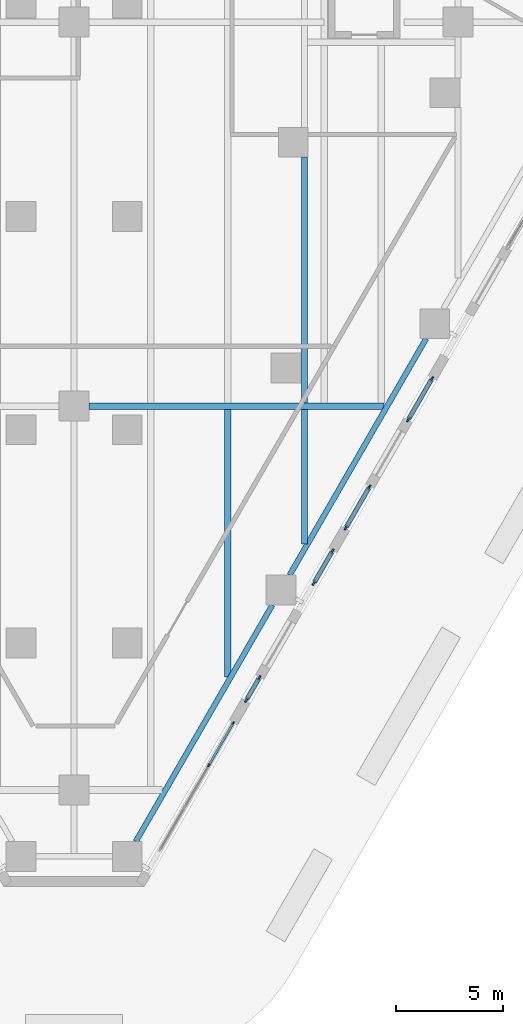
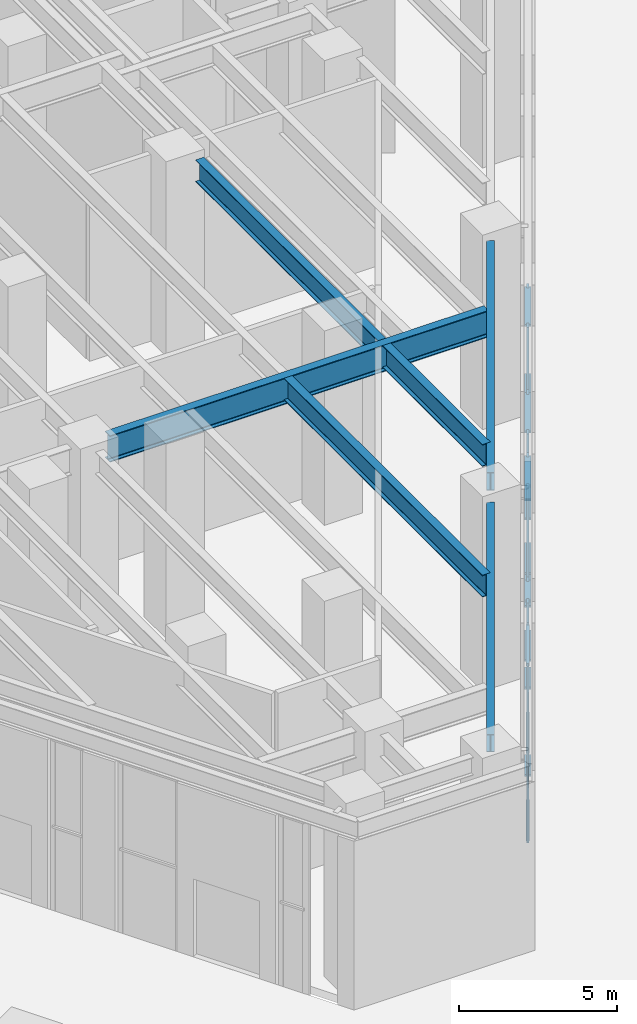
# One storey, part 7 of 37: 25 members, 6 beams, 5 elements without a shape of their own.
"""IFC4 building model written with IfcOpenShell, lengths in metres."""

from ifc_helpers import new_model, si_unit, direction, frame, origin, origin_2d, place, context, subcontext, project, spatial, rectangle, i_section, extrude, material, material_profile, profile_set, type_object, element, aggregate, save


model = new_model("IFC4")

# Units and contexts
model_context = context("Model", 3, precision=1e-05, world=origin(), true_north=direction((0.0, 1.0)))
body_context = subcontext(model_context, "Body", "Model", "MODEL_VIEW")
ifc_project = project(units=[si_unit("LENGTHUNIT", "METRE"), si_unit("AREAUNIT", "SQUARE_METRE"), si_unit("VOLUMEUNIT", "CUBIC_METRE"), si_unit("PLANEANGLEUNIT", "RADIAN"), si_unit("MASSUNIT", "GRAM", prefix="KILO")], contexts=[model_context])

# Site, building, storey
site_placement = place(None, origin())
site = spatial("IfcSite", under=ifc_project, at=site_placement, CompositionType="ELEMENT")
building_placement = place(site_placement, origin())
building = spatial("IfcBuilding", under=site, at=building_placement, Name="Aloe Facet Convention Tower", CompositionType="ELEMENT")
storey_placement = place(building_placement, origin())
storey = spatial("IfcBuildingStorey", under=building, at=storey_placement, Name="L00", CompositionType="ELEMENT", Elevation=0.0)

# Curtain wall, members
ifc_material_1 = material(Name="Aluminium, anodised", Category="aluminium")
curtain_wall_type_1 = type_object("IfcCurtainWallType", Name="EV-CW-PORTAL", PredefinedType="USERDEFINED", material=ifc_material_1)
curtain_wall_1_placement = place(storey_placement, origin())
curtain_wall_1 = element("IfcCurtainWall", 1, at=curtain_wall_1_placement, inside=storey, type_object=curtain_wall_type_1, Name="CW-L00-E04A", ObjectType="ENTRANCE PORTAL GLAZING", PredefinedType="USERDEFINED")
ifc_material_2 = material(Name="Aluminium, anodised", Category="aluminium")
ifc_material_profile_1 = material_profile(ifc_material_2, rectangle(XDim=0.080078125, YDim=0.25, at=origin_2d()), Name="AL 80x250")
ifc_profile_set_1 = profile_set([ifc_material_profile_1], Name="Aluminium, anodised")
member_type_1 = type_object("IfcMemberType", Name="EV-MULL-PORTAL", PredefinedType="MULLION", material=ifc_profile_set_1)
member_1_placement = place(storey_placement, frame((88.0859375, 49.2255859375, -0.300048828125), z_axis=(0.0, 0.0, 1.0), x_axis=(-0.866025403688, 0.500000000166, 0.0)))
member_1 = element("IfcMember", 2, at=member_1_placement, type_object=member_type_1, Name="CW-L00-E04A mullion 1", PredefinedType="MULLION", context=body_context, shape_type="SweptSolid", body=[
    extrude(rectangle(XDim=0.080078125, YDim=0.25, at=origin_2d()), origin(), (0.0, 0.0, 1.0), 6.8125),
])
member_2_placement = place(storey_placement, frame((88.67626953125, 50.248046875, -0.300048828125), z_axis=(0.0, 0.0, 1.0), x_axis=(-0.866025403688, 0.500000000166, 0.0)))
member_2 = element("IfcMember", 3, at=member_2_placement, type_object=member_type_1, Name="CW-L00-E04A mullion 2", PredefinedType="MULLION", context=body_context, shape_type="SweptSolid", body=[
    extrude(rectangle(XDim=0.080078125, YDim=0.25, at=origin_2d()), origin(), (0.0, 0.0, 1.0), 6.8125),
])

curtain_wall_2_placement = place(storey_placement, origin())
curtain_wall_2 = element("IfcCurtainWall", 4, at=curtain_wall_2_placement, inside=storey, type_object=curtain_wall_type_1, Name="CW-L00-E04B", ObjectType="ENTRANCE PORTAL GLAZING", PredefinedType="USERDEFINED")
member_3_placement = place(storey_placement, frame((91.25, 54.706298828125, -0.300048828125), z_axis=(0.0, 0.0, 1.0), x_axis=(-0.866025403715, 0.500000000121, 0.0)))
member_3 = element("IfcMember", 5, at=member_3_placement, type_object=member_type_1, Name="CW-L00-E04B mullion 1", PredefinedType="MULLION", context=body_context, shape_type="SweptSolid", body=[
    extrude(rectangle(XDim=0.080078125, YDim=0.25, at=origin_2d()), origin(), (0.0, 0.0, 1.0), 6.8125),
])
member_4_placement = place(storey_placement, frame((92.1064453125, 56.189697265625, -0.300048828125), z_axis=(0.0, 0.0, 1.0), x_axis=(-0.866025403715, 0.500000000121, 0.0)))
member_4 = element("IfcMember", 6, at=member_4_placement, type_object=member_type_1, Name="CW-L00-E04B mullion 2", PredefinedType="MULLION", context=body_context, shape_type="SweptSolid", body=[
    extrude(rectangle(XDim=0.080078125, YDim=0.25, at=origin_2d()), origin(), (0.0, 0.0, 1.0), 6.8125),
])

curtain_wall_3_placement = place(storey_placement, origin())
curtain_wall_3 = element("IfcCurtainWall", 7, at=curtain_wall_3_placement, inside=storey, type_object=curtain_wall_type_1, Name="CW-L00-E06A", ObjectType="ENTRANCE PORTAL GLAZING", PredefinedType="USERDEFINED")
member_5_placement = place(storey_placement, frame((92.74658203125, 57.298095703125, -0.300048828125), z_axis=(0.0, 0.0, 1.0), x_axis=(-0.86602540375, 0.50000000006, 0.0)))
member_5 = element("IfcMember", 8, at=member_5_placement, type_object=member_type_1, Name="CW-L00-E06A mullion 1", PredefinedType="MULLION", context=body_context, shape_type="SweptSolid", body=[
    extrude(rectangle(XDim=0.080078125, YDim=0.25, at=origin_2d()), origin(), (0.0, 0.0, 1.0), 6.8125),
])
member_6_placement = place(storey_placement, frame((93.8369140625, 59.186767578125, -0.300048828125), z_axis=(0.0, 0.0, 1.0), x_axis=(-0.86602540375, 0.50000000006, 0.0)))
member_6 = element("IfcMember", 9, at=member_6_placement, type_object=member_type_1, Name="CW-L00-E06A mullion 2", PredefinedType="MULLION", context=body_context, shape_type="SweptSolid", body=[
    extrude(rectangle(XDim=0.080078125, YDim=0.25, at=origin_2d()), origin(), (0.0, 0.0, 1.0), 6.8125),
])

curtain_wall_4_placement = place(storey_placement, origin())
curtain_wall_4 = element("IfcCurtainWall", 10, at=curtain_wall_4_placement, inside=storey, type_object=curtain_wall_type_1, Name="CW-L00-E06B", ObjectType="ENTRANCE PORTAL GLAZING", PredefinedType="USERDEFINED")
member_7_placement = place(storey_placement, frame((95.6767578125, 62.37353515625, -0.300048828125), z_axis=(0.0, 0.0, 1.0), x_axis=(-0.866025403942, 0.499999999728, 0.0)))
member_7 = element("IfcMember", 11, at=member_7_placement, type_object=member_type_1, Name="CW-L00-E06B mullion 1", PredefinedType="MULLION", context=body_context, shape_type="SweptSolid", body=[
    extrude(rectangle(XDim=0.080078125, YDim=0.25, at=origin_2d()), origin(), (0.0, 0.0, 1.0), 6.8125),
])
member_8_placement = place(storey_placement, frame((96.76708984375, 64.26220703125, -0.300048828125), z_axis=(0.0, 0.0, 1.0), x_axis=(-0.866025403942, 0.499999999728, 0.0)))
member_8 = element("IfcMember", 12, at=member_8_placement, type_object=member_type_1, Name="CW-L00-E06B mullion 2", PredefinedType="MULLION", context=body_context, shape_type="SweptSolid", body=[
    extrude(rectangle(XDim=0.080078125, YDim=0.25, at=origin_2d()), origin(), (0.0, 0.0, 1.0), 6.8125),
])

ifc_material_3 = material(Name="Aluminium, anodised", Category="aluminium")
curtain_wall_type_2 = type_object("IfcCurtainWallType", Name="EV-CW-SHOP", PredefinedType="USERDEFINED", material=ifc_material_3)
curtain_wall_5_placement = place(storey_placement, origin())
curtain_wall_5 = element("IfcCurtainWall", 13, at=curtain_wall_5_placement, inside=storey, type_object=curtain_wall_type_2, Name="CW-L00-E02", ObjectType="STICK SHOPFRONT GLAZING", PredefinedType="USERDEFINED")
ifc_material_4 = material(Name="Aluminium, anodised", Category="aluminium")
ifc_material_profile_2 = material_profile(ifc_material_4, rectangle(XDim=0.06005859375, YDim=0.159912109375, at=origin_2d()), Name="AL 60x160")
ifc_profile_set_2 = profile_set([ifc_material_profile_2], Name="Aluminium, anodised")
member_type_2 = type_object("IfcMemberType", Name="EV-MULL-SHOP", PredefinedType="MULLION", material=ifc_profile_set_2)
member_9_placement = place(storey_placement, frame((86.317626953125, 46.1630859375, -0.300048828125), z_axis=(0.0, 0.0, 1.0), x_axis=(-0.866025403776, 0.500000000015, 0.0)))
member_9 = element("IfcMember", 14, at=member_9_placement, type_object=member_type_2, Name="CW-L00-E02 mullion 3", PredefinedType="MULLION", context=body_context, shape_type="SweptSolid", body=[
    extrude(rectangle(XDim=0.06005859375, YDim=0.159912109375, at=origin_2d()), origin(), (0.0, 0.0, 1.0), 6.8125),
])
member_10_placement = place(storey_placement, frame((87.450927734375, 48.125732421875, -0.300048828125), z_axis=(0.0, 0.0, 1.0), x_axis=(-0.866025403776, 0.500000000015, 0.0)))
member_10 = element("IfcMember", 15, at=member_10_placement, type_object=member_type_2, Name="CW-L00-E02 mullion 4", PredefinedType="MULLION", context=body_context, shape_type="SweptSolid", body=[
    extrude(rectangle(XDim=0.06005859375, YDim=0.159912109375, at=origin_2d()), origin(), (0.0, 0.0, 1.0), 6.8125),
])

# Member
ifc_material_5 = material(Name="Aluminium, anodised", Category="aluminium")
ifc_material_profile_3 = material_profile(ifc_material_5, rectangle(XDim=0.199951171875, YDim=0.080078125, at=origin_2d()), Name="AL 200x80")
ifc_profile_set_3 = profile_set([ifc_material_profile_3], Name="Aluminium, anodised")
member_type_3 = type_object("IfcMemberType", Name="EV-TRAN-PORTAL", PredefinedType="USERDEFINED", material=ifc_profile_set_3)
member_11_placement = place(storey_placement, frame((88.105712890625, 49.26025390625, -0.260009765625), z_axis=(0.500170427951, 0.865926984799, 0.0), x_axis=(-0.865926984799, 0.500170427951, 0.0)))
member_11 = element("IfcMember", 16, at=member_11_placement, type_object=member_type_3, Name="CW-L00-E04A transom 1.1", ObjectType="TRANSOM", PredefinedType="USERDEFINED", context=body_context, shape_type="SweptSolid", body=[
    extrude(rectangle(XDim=0.199951171875, YDim=0.080078125, at=origin_2d()), origin(), (0.0, 0.0, 1.0), 1.1005859375),
])

member_12_placement = place(storey_placement, frame((88.105712890625, 49.26025390625, 3.106201171875), z_axis=(0.500170427951, 0.865926984799, 0.0), x_axis=(-0.865926984799, 0.500170427951, 0.0)))
member_12 = element("IfcMember", 17, at=member_12_placement, type_object=member_type_3, Name="CW-L00-E04A transom 1.2", ObjectType="TRANSOM", PredefinedType="USERDEFINED", context=body_context, shape_type="SweptSolid", body=[
    extrude(rectangle(XDim=0.199951171875, YDim=0.080078125, at=origin_2d()), origin(), (0.0, 0.0, 1.0), 1.1005859375),
])

member_13_placement = place(storey_placement, frame((88.105712890625, 49.26025390625, 6.472412109375), z_axis=(0.500170427951, 0.865926984799, 0.0), x_axis=(-0.865926984799, 0.500170427951, 0.0)))
member_13 = element("IfcMember", 18, at=member_13_placement, type_object=member_type_3, Name="CW-L00-E04A transom 1.3", ObjectType="TRANSOM", PredefinedType="USERDEFINED", context=body_context, shape_type="SweptSolid", body=[
    extrude(rectangle(XDim=0.199951171875, YDim=0.080078125, at=origin_2d()), origin(), (0.0, 0.0, 1.0), 1.1005859375),
])

aggregate(curtain_wall_1, [member_1, member_2, member_11, member_12, member_13])

member_14_placement = place(storey_placement, frame((91.27001953125, 54.740966796875, -0.260009765625), z_axis=(0.499998569178, 0.866026229868, 0.0), x_axis=(-0.866026229868, 0.499998569178, 0.0)))
member_14 = element("IfcMember", 19, at=member_14_placement, type_object=member_type_3, Name="CW-L00-E04B transom 1.1", ObjectType="TRANSOM", PredefinedType="USERDEFINED", context=body_context, shape_type="SweptSolid", body=[
    extrude(rectangle(XDim=0.199951171875, YDim=0.080078125, at=origin_2d()), origin(), (0.0, 0.0, 1.0), 1.6328125),
])

member_15_placement = place(storey_placement, frame((91.27001953125, 54.740966796875, 3.106201171875), z_axis=(0.499998569178, 0.866026229868, 0.0), x_axis=(-0.866026229868, 0.499998569178, 0.0)))
member_15 = element("IfcMember", 20, at=member_15_placement, type_object=member_type_3, Name="CW-L00-E04B transom 1.2", ObjectType="TRANSOM", PredefinedType="USERDEFINED", context=body_context, shape_type="SweptSolid", body=[
    extrude(rectangle(XDim=0.199951171875, YDim=0.080078125, at=origin_2d()), origin(), (0.0, 0.0, 1.0), 1.6328125),
])

member_16_placement = place(storey_placement, frame((91.27001953125, 54.740966796875, 6.472412109375), z_axis=(0.499998569178, 0.866026229868, 0.0), x_axis=(-0.866026229868, 0.499998569178, 0.0)))
member_16 = element("IfcMember", 21, at=member_16_placement, type_object=member_type_3, Name="CW-L00-E04B transom 1.3", ObjectType="TRANSOM", PredefinedType="USERDEFINED", context=body_context, shape_type="SweptSolid", body=[
    extrude(rectangle(XDim=0.199951171875, YDim=0.080078125, at=origin_2d()), origin(), (0.0, 0.0, 1.0), 1.6328125),
])

aggregate(curtain_wall_2, [member_3, member_4, member_14, member_15, member_16])

member_17_placement = place(storey_placement, frame((92.7666015625, 57.332763671875, -0.260009765625), z_axis=(0.49996389635, 0.866046247233, 0.0), x_axis=(-0.866046247233, 0.49996389635, 0.0)))
member_17 = element("IfcMember", 22, at=member_17_placement, type_object=member_type_3, Name="CW-L00-E06A transom 1.1", ObjectType="TRANSOM", PredefinedType="USERDEFINED", context=body_context, shape_type="SweptSolid", body=[
    extrude(rectangle(XDim=0.199951171875, YDim=0.080078125, at=origin_2d()), origin(), (0.0, 0.0, 1.0), 2.100830078125),
])

member_18_placement = place(storey_placement, frame((92.7666015625, 57.332763671875, 3.106201171875), z_axis=(0.49996389635, 0.866046247233, 0.0), x_axis=(-0.866046247233, 0.49996389635, 0.0)))
member_18 = element("IfcMember", 23, at=member_18_placement, type_object=member_type_3, Name="CW-L00-E06A transom 1.2", ObjectType="TRANSOM", PredefinedType="USERDEFINED", context=body_context, shape_type="SweptSolid", body=[
    extrude(rectangle(XDim=0.199951171875, YDim=0.080078125, at=origin_2d()), origin(), (0.0, 0.0, 1.0), 2.100830078125),
])

member_19_placement = place(storey_placement, frame((92.7666015625, 57.332763671875, 6.472412109375), z_axis=(0.49996389635, 0.866046247233, 0.0), x_axis=(-0.866046247233, 0.49996389635, 0.0)))
member_19 = element("IfcMember", 24, at=member_19_placement, type_object=member_type_3, Name="CW-L00-E06A transom 1.3", ObjectType="TRANSOM", PredefinedType="USERDEFINED", context=body_context, shape_type="SweptSolid", body=[
    extrude(rectangle(XDim=0.199951171875, YDim=0.080078125, at=origin_2d()), origin(), (0.0, 0.0, 1.0), 2.100830078125),
])

aggregate(curtain_wall_3, [member_5, member_6, member_17, member_18, member_19])

member_20_placement = place(storey_placement, frame((95.69677734375, 62.408203125, -0.260009765625), z_axis=(0.500051055413, 0.865995924921, 0.0), x_axis=(-0.865995924921, 0.500051055413, 0.0)))
member_20 = element("IfcMember", 25, at=member_20_placement, type_object=member_type_3, Name="CW-L00-E06B transom 1.1", ObjectType="TRANSOM", PredefinedType="USERDEFINED", context=body_context, shape_type="SweptSolid", body=[
    extrude(rectangle(XDim=0.199951171875, YDim=0.080078125, at=origin_2d()), origin(), (0.0, 0.0, 1.0), 2.100830078125),
])

member_21_placement = place(storey_placement, frame((95.69677734375, 62.408203125, 3.106201171875), z_axis=(0.500051055413, 0.865995924921, 0.0), x_axis=(-0.865995924921, 0.500051055413, 0.0)))
member_21 = element("IfcMember", 26, at=member_21_placement, type_object=member_type_3, Name="CW-L00-E06B transom 1.2", ObjectType="TRANSOM", PredefinedType="USERDEFINED", context=body_context, shape_type="SweptSolid", body=[
    extrude(rectangle(XDim=0.199951171875, YDim=0.080078125, at=origin_2d()), origin(), (0.0, 0.0, 1.0), 2.100830078125),
])

member_22_placement = place(storey_placement, frame((95.69677734375, 62.408203125, 6.472412109375), z_axis=(0.500051055413, 0.865995924921, 0.0), x_axis=(-0.865995924921, 0.500051055413, 0.0)))
member_22 = element("IfcMember", 27, at=member_22_placement, type_object=member_type_3, Name="CW-L00-E06B transom 1.3", ObjectType="TRANSOM", PredefinedType="USERDEFINED", context=body_context, shape_type="SweptSolid", body=[
    extrude(rectangle(XDim=0.199951171875, YDim=0.080078125, at=origin_2d()), origin(), (0.0, 0.0, 1.0), 2.100830078125),
])

aggregate(curtain_wall_4, [member_7, member_8, member_20, member_21, member_22])

ifc_material_6 = material(Name="Aluminium, anodised", Category="aluminium")
ifc_material_profile_4 = material_profile(ifc_material_6, rectangle(XDim=0.1201171875, YDim=0.06005859375, at=origin_2d()), Name="AL 120x60")
ifc_profile_set_4 = profile_set([ifc_material_profile_4], Name="Aluminium, anodised")
member_type_4 = type_object("IfcMemberType", Name="EV-TRAN-SHOP", PredefinedType="USERDEFINED", material=ifc_profile_set_4)
member_23_placement = place(storey_placement, frame((86.332763671875, 46.189208984375, -0.27001953125), z_axis=(0.499971514742, 0.866041849131, 0.0), x_axis=(-0.866041849131, 0.499971514742, 0.0)))
member_23 = element("IfcMember", 28, at=member_23_placement, type_object=member_type_4, Name="CW-L00-E02 transom 3.1", ObjectType="TRANSOM", PredefinedType="USERDEFINED", context=body_context, shape_type="SweptSolid", body=[
    extrude(rectangle(XDim=0.1201171875, YDim=0.06005859375, at=origin_2d()), origin(), (0.0, 0.0, 1.0), 2.206298828125),
])

member_24_placement = place(storey_placement, frame((86.332763671875, 46.189208984375, 3.106201171875), z_axis=(0.499971514742, 0.866041849131, 0.0), x_axis=(-0.866041849131, 0.499971514742, 0.0)))
member_24 = element("IfcMember", 29, at=member_24_placement, type_object=member_type_4, Name="CW-L00-E02 transom 3.2", ObjectType="TRANSOM", PredefinedType="USERDEFINED", context=body_context, shape_type="SweptSolid", body=[
    extrude(rectangle(XDim=0.1201171875, YDim=0.06005859375, at=origin_2d()), origin(), (0.0, 0.0, 1.0), 2.206298828125),
])

member_25_placement = place(storey_placement, frame((86.332763671875, 46.189208984375, 6.482421875), z_axis=(0.499971514742, 0.866041849131, 0.0), x_axis=(-0.866041849131, 0.499971514742, 0.0)))
member_25 = element("IfcMember", 30, at=member_25_placement, type_object=member_type_4, Name="CW-L00-E02 transom 3.3", ObjectType="TRANSOM", PredefinedType="USERDEFINED", context=body_context, shape_type="SweptSolid", body=[
    extrude(rectangle(XDim=0.1201171875, YDim=0.06005859375, at=origin_2d()), origin(), (0.0, 0.0, 1.0), 2.206298828125),
])

aggregate(curtain_wall_5, [member_9, member_10, member_23, member_24, member_25])

# Beams
ifc_material_7 = material(Name="Steel S355", Category="steel")
ifc_material_profile_5 = material_profile(ifc_material_7, i_section(OverallWidth=0.305419921875, OverallDepth=1.02587890625, WebThickness=0.02001953125, FlangeThickness=0.031005859375, FilletRadius=0.030029296875, at=origin_2d()), Name="UB 1016x305x349")
ifc_profile_set_5 = profile_set([ifc_material_profile_5], Name="Steel S355")
beam_type_1 = type_object("IfcBeamType", Name="SF-B-UB1016x305x349", PredefinedType="BEAM", material=ifc_profile_set_5)
beam_1_placement = place(storey_placement, frame((80.699951171875, 63.0, 6.68701171875), z_axis=(1.0, 0.0, 0.0), x_axis=(0.0, 1.0, 0.0)))
element("IfcBeam", 31, at=beam_1_placement, inside=storey, type_object=beam_type_1, Name="Floor beam FB-L01-042", PredefinedType="BEAM", context=body_context, shape_type="SweptSolid", body=[
    extrude(i_section(OverallWidth=0.305419921875, OverallDepth=1.02587890625, WebThickness=0.02001953125, FlangeThickness=0.031005859375, FilletRadius=0.030029296875, at=origin_2d()), origin(), (0.0, 0.0, 1.0), 13.824951171875),
])
ifc_material_8 = material(Name="Steel S355", Category="steel")
ifc_material_profile_6 = material_profile(ifc_material_8, i_section(OverallWidth=0.25439453125, OverallDepth=0.6875, WebThickness=0.01318359375, FlangeThickness=0.02099609375, FilletRadius=0.01513671875, at=origin_2d()), Name="UB 686x254x152")
ifc_profile_set_6 = profile_set([ifc_material_profile_6], Name="Steel S355")
beam_type_2 = type_object("IfcBeamType", Name="SF-B-UB686x254x152", PredefinedType="BEAM", material=ifc_profile_set_6)
beam_2_placement = place(storey_placement, frame((89.296142578125, 53.672119140625, 6.856201171875), z_axis=(-0.499987149722, -0.866032822769, 0.0), x_axis=(0.866032822769, -0.499987149722, 0.0)))
element("IfcBeam", 32, at=beam_2_placement, inside=storey, type_object=beam_type_2, Name="Floor beam FB-L01-016", PredefinedType="BEAM", context=body_context, shape_type="SweptSolid", body=[
    extrude(i_section(OverallWidth=0.25439453125, OverallDepth=0.6875, WebThickness=0.01318359375, FlangeThickness=0.02099609375, FilletRadius=0.01513671875, at=origin_2d()), origin(), (0.0, 0.0, 1.0), 12.801025390625),
])
beam_3_placement = place(storey_placement, frame((96.50439453125, 66.156982421875, 6.856201171875), z_axis=(-0.499999833739, -0.866025499775, 0.0), x_axis=(0.866025499775, -0.499999833739, 0.0)))
element("IfcBeam", 33, at=beam_3_placement, inside=storey, type_object=beam_type_2, Name="Floor beam FB-L01-018", PredefinedType="BEAM", context=body_context, shape_type="SweptSolid", body=[
    extrude(i_section(OverallWidth=0.25439453125, OverallDepth=0.6875, WebThickness=0.01318359375, FlangeThickness=0.02099609375, FilletRadius=0.01513671875, at=origin_2d()), origin(), (0.0, 0.0, 1.0), 12.7998046875),
])
ifc_material_9 = material(Name="Steel S355", Category="steel")
ifc_material_profile_7 = material_profile(ifc_material_9, i_section(OverallWidth=0.293701171875, OverallDepth=0.850830078125, WebThickness=0.01611328125, FlangeThickness=0.02685546875, FilletRadius=0.017822265625, at=origin_2d()), Name="UB 838x292x226")
ifc_profile_set_7 = profile_set([ifc_material_profile_7], Name="Steel S355")
beam_type_3 = type_object("IfcBeamType", Name="SF-B-UB838x292x226", PredefinedType="BEAM", material=ifc_profile_set_7)
beam_4_placement = place(storey_placement, frame((87.199951171875, 50.305908203125, 6.774658203125), z_axis=(0.0, 1.0, 0.0), x_axis=(-1.0, 0.0, 0.0)))
element("IfcBeam", 34, at=beam_4_placement, inside=storey, type_object=beam_type_3, Name="Floor beam FB-L01-126", PredefinedType="BEAM", context=body_context, shape_type="SweptSolid", body=[
    extrude(i_section(OverallWidth=0.293701171875, OverallDepth=0.850830078125, WebThickness=0.01611328125, FlangeThickness=0.02685546875, FilletRadius=0.017822265625, at=origin_2d()), origin(), (0.0, 0.0, 1.0), 12.54150390625),
])
beam_5_placement = place(storey_placement, frame((90.800048828125, 56.541259765625, 6.774658203125), z_axis=(0.0, 1.0, 0.0), x_axis=(-1.0, 0.0, 0.0)))
element("IfcBeam", 35, at=beam_5_placement, inside=storey, type_object=beam_type_3, Name="Floor beam FB-L01-131", PredefinedType="BEAM", context=body_context, shape_type="SweptSolid", body=[
    extrude(i_section(OverallWidth=0.293701171875, OverallDepth=0.850830078125, WebThickness=0.01611328125, FlangeThickness=0.02685546875, FilletRadius=0.017822265625, at=origin_2d()), origin(), (0.0, 0.0, 1.0), 6.30615234375),
])
beam_6_placement = place(storey_placement, frame((90.800048828125, 63.152587890625, 6.774658203125), z_axis=(0.0, 1.0, 0.0), x_axis=(-1.0, 0.0, 0.0)))
element("IfcBeam", 36, at=beam_6_placement, inside=storey, type_object=beam_type_3, Name="Floor beam FB-L01-132", PredefinedType="BEAM", context=body_context, shape_type="SweptSolid", body=[
    extrude(i_section(OverallWidth=0.293701171875, OverallDepth=0.850830078125, WebThickness=0.01611328125, FlangeThickness=0.02685546875, FilletRadius=0.017822265625, at=origin_2d()), origin(), (0.0, 0.0, 1.0), 11.513427734375),
])

save(model, "model.ifc")
